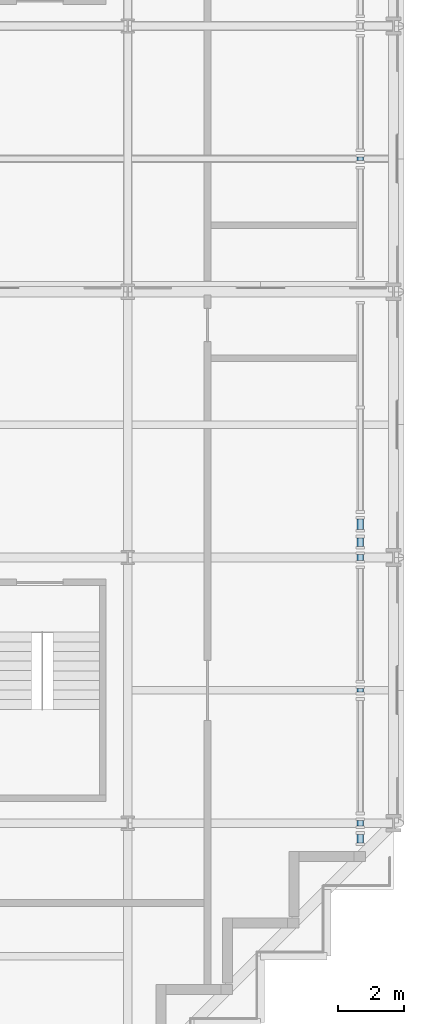
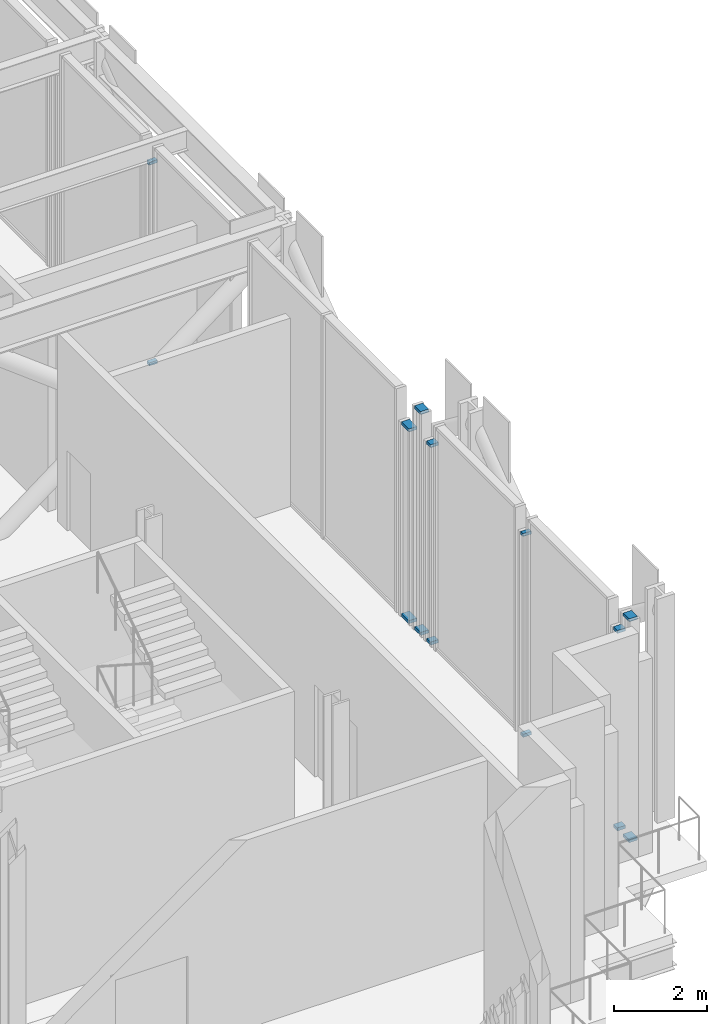
# One storey, part 9 of 25: 14 members, 7 elements without a shape of their own.
"""IFC4 building model written with IfcOpenShell, lengths in metres."""

from ifc_helpers import new_model, si_unit, direction, frame, origin, origin_2d, place, context, subcontext, project, spatial, rectangle, extrude, material, material_profile, profile_set, type_object, element, aggregate, save


model = new_model("IFC4")

# Units and contexts
model_context = context("Model", 3, precision=1e-05, world=origin(), true_north=direction((0.0, 1.0)))
body_context = subcontext(model_context, "Body", "Model", "MODEL_VIEW")
ifc_project = project(units=[si_unit("LENGTHUNIT", "METRE"), si_unit("AREAUNIT", "SQUARE_METRE"), si_unit("VOLUMEUNIT", "CUBIC_METRE"), si_unit("PLANEANGLEUNIT", "RADIAN"), si_unit("MASSUNIT", "GRAM", prefix="KILO")], contexts=[model_context])

# Site, building, storey
site_placement = place(None, origin())
site = spatial("IfcSite", under=ifc_project, at=site_placement, CompositionType="ELEMENT")
building_placement = place(site_placement, origin())
building = spatial("IfcBuilding", under=site, at=building_placement, Name="Immortelle Media Tower", CompositionType="ELEMENT")
storey_placement = place(building_placement, frame((0.0, 0.0, 114.0)))
storey = spatial("IfcBuildingStorey", under=building, at=storey_placement, Name="L22", CompositionType="ELEMENT", Elevation=114.0)

# Curtain wall, members
ifc_material_1 = material(Name="Aluminium curtain wall system", Category="aluminium")
curtain_wall_type = type_object("IfcCurtainWallType", Name="Plant louvre wall curtain wall", PredefinedType="NOTDEFINED", material=ifc_material_1)
curtain_wall_1_placement = place(storey_placement, origin())
curtain_wall_1 = element("IfcCurtainWall", 1, at=curtain_wall_1_placement, inside=storey, type_object=curtain_wall_type, Name="Plant louvre wall L22 E 14-2", PredefinedType="NOTDEFINED")
ifc_material_2 = material(Name="Aluminium 6063-T6", Category="aluminium")
ifc_material_profile = material_profile(ifc_material_2, rectangle(XDim=0.199951171875, YDim=0.080078125, at=origin_2d()), Name="AL 80x200")
ifc_profile_set = profile_set([ifc_material_profile], Name="Aluminium 6063-T6")
member_type = type_object("IfcMemberType", Name="Plant louvre wall transom 80 x 200", PredefinedType="USERDEFINED", material=ifc_profile_set)
member_1_placement = place(storey_placement, frame((47.0, 7.40869140625, 0.0400390625), z_axis=(0.0, 1.0, 0.0), x_axis=(-1.0, 0.0, 0.0)))
member_1 = element("IfcMember", 2, at=member_1_placement, type_object=member_type, Name="CW6 transom 1.1", ObjectType="TRANSOM", PredefinedType="USERDEFINED", context=body_context, shape_type="SweptSolid", body=[
    extrude(rectangle(XDim=0.199951171875, YDim=0.080078125, at=origin_2d()), origin(), (0.0, 0.0, 1.0), 0.2568359375),
])
member_2_placement = place(storey_placement, frame((47.0, 7.40869140625, 5.8095703125), z_axis=(0.0, 1.0, 0.0), x_axis=(-1.0, 0.0, 0.0)))
member_2 = element("IfcMember", 3, at=member_2_placement, type_object=member_type, Name="CW6 transom 1.2", ObjectType="TRANSOM", PredefinedType="USERDEFINED", context=body_context, shape_type="SweptSolid", body=[
    extrude(rectangle(XDim=0.199951171875, YDim=0.080078125, at=origin_2d()), origin(), (0.0, 0.0, 1.0), 0.2568359375),
])
aggregate(curtain_wall_1, [member_1, member_2])

curtain_wall_2_placement = place(storey_placement, origin())
curtain_wall_2 = element("IfcCurtainWall", 4, at=curtain_wall_2_placement, inside=storey, type_object=curtain_wall_type, Name="Plant louvre wall L22 E 14-3", PredefinedType="NOTDEFINED")
member_3_placement = place(storey_placement, frame((47.0, 7.91552734375, 0.0400390625), z_axis=(0.0, 1.0, 0.0), x_axis=(-1.0, 0.0, 0.0)))
member_3 = element("IfcMember", 5, at=member_3_placement, type_object=member_type, Name="CW6 transom 1.1", ObjectType="TRANSOM", PredefinedType="USERDEFINED", context=body_context, shape_type="SweptSolid", body=[
    extrude(rectangle(XDim=0.199951171875, YDim=0.080078125, at=origin_2d()), origin(), (0.0, 0.0, 1.0), 0.1689453125),
])
member_4_placement = place(storey_placement, frame((47.0, 7.91552734375, 5.197509765625), z_axis=(0.0, 1.0, 0.0), x_axis=(-1.0, 0.0, 0.0)))
member_4 = element("IfcMember", 6, at=member_4_placement, type_object=member_type, Name="CW6 transom 1.2", ObjectType="TRANSOM", PredefinedType="USERDEFINED", context=body_context, shape_type="SweptSolid", body=[
    extrude(rectangle(XDim=0.199951171875, YDim=0.080078125, at=origin_2d()), origin(), (0.0, 0.0, 1.0), 0.1689453125),
])
aggregate(curtain_wall_2, [member_3, member_4])

curtain_wall_3_placement = place(storey_placement, origin())
curtain_wall_3 = element("IfcCurtainWall", 7, at=curtain_wall_3_placement, inside=storey, type_object=curtain_wall_type, Name="Plant louvre wall L22 E 14-5", PredefinedType="NOTDEFINED")
member_5_placement = place(storey_placement, frame((47.0, 11.947509765625, 0.0400390625), z_axis=(0.0, 1.0, 0.0), x_axis=(-1.0, 0.0, 0.0)))
member_5 = element("IfcMember", 8, at=member_5_placement, type_object=member_type, Name="CW6 transom 1.1", ObjectType="TRANSOM", PredefinedType="USERDEFINED", context=body_context, shape_type="SweptSolid", body=[
    extrude(rectangle(XDim=0.199951171875, YDim=0.080078125, at=origin_2d()), origin(), (0.0, 0.0, 1.0), 0.10498046875),
])
member_6_placement = place(storey_placement, frame((47.0, 11.947509765625, 5.283447265625), z_axis=(0.0, 1.0, 0.0), x_axis=(-1.0, 0.0, 0.0)))
member_6 = element("IfcMember", 9, at=member_6_placement, type_object=member_type, Name="CW6 transom 1.2", ObjectType="TRANSOM", PredefinedType="USERDEFINED", context=body_context, shape_type="SweptSolid", body=[
    extrude(rectangle(XDim=0.199951171875, YDim=0.080078125, at=origin_2d()), origin(), (0.0, 0.0, 1.0), 0.10498046875),
])
aggregate(curtain_wall_3, [member_5, member_6])

curtain_wall_4_placement = place(storey_placement, origin())
curtain_wall_4 = element("IfcCurtainWall", 10, at=curtain_wall_4_placement, inside=storey, type_object=curtain_wall_type, Name="Plant louvre wall L22 E 14-7", PredefinedType="NOTDEFINED")
member_7_placement = place(storey_placement, frame((47.0, 15.91552734375, 0.0400390625), z_axis=(0.0, 1.0, 0.0), x_axis=(-1.0, 0.0, 0.0)))
member_7 = element("IfcMember", 11, at=member_7_placement, type_object=member_type, Name="CW6 transom 1.1", ObjectType="TRANSOM", PredefinedType="USERDEFINED", context=body_context, shape_type="SweptSolid", body=[
    extrude(rectangle(XDim=0.199951171875, YDim=0.080078125, at=origin_2d()), origin(), (0.0, 0.0, 1.0), 0.1689453125),
])
member_8_placement = place(storey_placement, frame((47.0, 15.91552734375, 5.197509765625), z_axis=(0.0, 1.0, 0.0), x_axis=(-1.0, 0.0, 0.0)))
member_8 = element("IfcMember", 12, at=member_8_placement, type_object=member_type, Name="CW6 transom 1.2", ObjectType="TRANSOM", PredefinedType="USERDEFINED", context=body_context, shape_type="SweptSolid", body=[
    extrude(rectangle(XDim=0.199951171875, YDim=0.080078125, at=origin_2d()), origin(), (0.0, 0.0, 1.0), 0.1689453125),
])
aggregate(curtain_wall_4, [member_7, member_8])

curtain_wall_5_placement = place(storey_placement, origin())
curtain_wall_5 = element("IfcCurtainWall", 13, at=curtain_wall_5_placement, inside=storey, type_object=curtain_wall_type, Name="Plant louvre wall L22 E 14-8", PredefinedType="NOTDEFINED")
member_9_placement = place(storey_placement, frame((47.0, 16.33447265625, 0.0400390625), z_axis=(0.0, 1.0, 0.0), x_axis=(-1.0, 0.0, 0.0)))
member_9 = element("IfcMember", 14, at=member_9_placement, type_object=member_type, Name="CW6 transom 1.1", ObjectType="TRANSOM", PredefinedType="USERDEFINED", context=body_context, shape_type="SweptSolid", body=[
    extrude(rectangle(XDim=0.199951171875, YDim=0.080078125, at=origin_2d()), origin(), (0.0, 0.0, 1.0), 0.2568359375),
])
member_10_placement = place(storey_placement, frame((47.0, 16.33447265625, 5.8095703125), z_axis=(0.0, 1.0, 0.0), x_axis=(-1.0, 0.0, 0.0)))
member_10 = element("IfcMember", 15, at=member_10_placement, type_object=member_type, Name="CW6 transom 1.2", ObjectType="TRANSOM", PredefinedType="USERDEFINED", context=body_context, shape_type="SweptSolid", body=[
    extrude(rectangle(XDim=0.199951171875, YDim=0.080078125, at=origin_2d()), origin(), (0.0, 0.0, 1.0), 0.2568359375),
])
aggregate(curtain_wall_5, [member_9, member_10])

curtain_wall_6_placement = place(storey_placement, origin())
curtain_wall_6 = element("IfcCurtainWall", 16, at=curtain_wall_6_placement, inside=storey, type_object=curtain_wall_type, Name="Plant louvre wall L22 E 14-9", PredefinedType="NOTDEFINED")
member_11_placement = place(storey_placement, frame((47.0, 16.84130859375, 0.0400390625), z_axis=(0.0, 1.0, 0.0), x_axis=(-1.0, 0.0, 0.0)))
member_11 = element("IfcMember", 17, at=member_11_placement, type_object=member_type, Name="CW6 transom 1.1", ObjectType="TRANSOM", PredefinedType="USERDEFINED", context=body_context, shape_type="SweptSolid", body=[
    extrude(rectangle(XDim=0.199951171875, YDim=0.080078125, at=origin_2d()), origin(), (0.0, 0.0, 1.0), 0.3173828125),
])
member_12_placement = place(storey_placement, frame((47.0, 16.84130859375, 5.047607421875), z_axis=(0.0, 1.0, 0.0), x_axis=(-1.0, 0.0, 0.0)))
member_12 = element("IfcMember", 18, at=member_12_placement, type_object=member_type, Name="CW6 transom 1.2", ObjectType="TRANSOM", PredefinedType="USERDEFINED", context=body_context, shape_type="SweptSolid", body=[
    extrude(rectangle(XDim=0.199951171875, YDim=0.080078125, at=origin_2d()), origin(), (0.0, 0.0, 1.0), 0.3173828125),
])
aggregate(curtain_wall_6, [member_11, member_12])

curtain_wall_7_placement = place(storey_placement, origin())
curtain_wall_7 = element("IfcCurtainWall", 19, at=curtain_wall_7_placement, inside=storey, type_object=curtain_wall_type, Name="Plant louvre wall L22 E 14-12", PredefinedType="NOTDEFINED")
member_13_placement = place(storey_placement, frame((47.0, 27.947509765625, 0.0400390625), z_axis=(0.0, 1.0, 0.0), x_axis=(-1.0, 0.0, 0.0)))
member_13 = element("IfcMember", 20, at=member_13_placement, type_object=member_type, Name="CW6 transom 1.1", ObjectType="TRANSOM", PredefinedType="USERDEFINED", context=body_context, shape_type="SweptSolid", body=[
    extrude(rectangle(XDim=0.199951171875, YDim=0.080078125, at=origin_2d()), origin(), (0.0, 0.0, 1.0), 0.10498046875),
])
member_14_placement = place(storey_placement, frame((47.0, 27.947509765625, 5.283447265625), z_axis=(0.0, 1.0, 0.0), x_axis=(-1.0, 0.0, 0.0)))
member_14 = element("IfcMember", 21, at=member_14_placement, type_object=member_type, Name="CW6 transom 1.2", ObjectType="TRANSOM", PredefinedType="USERDEFINED", context=body_context, shape_type="SweptSolid", body=[
    extrude(rectangle(XDim=0.199951171875, YDim=0.080078125, at=origin_2d()), origin(), (0.0, 0.0, 1.0), 0.10498046875),
])
aggregate(curtain_wall_7, [member_13, member_14])

save(model, "model.ifc")
